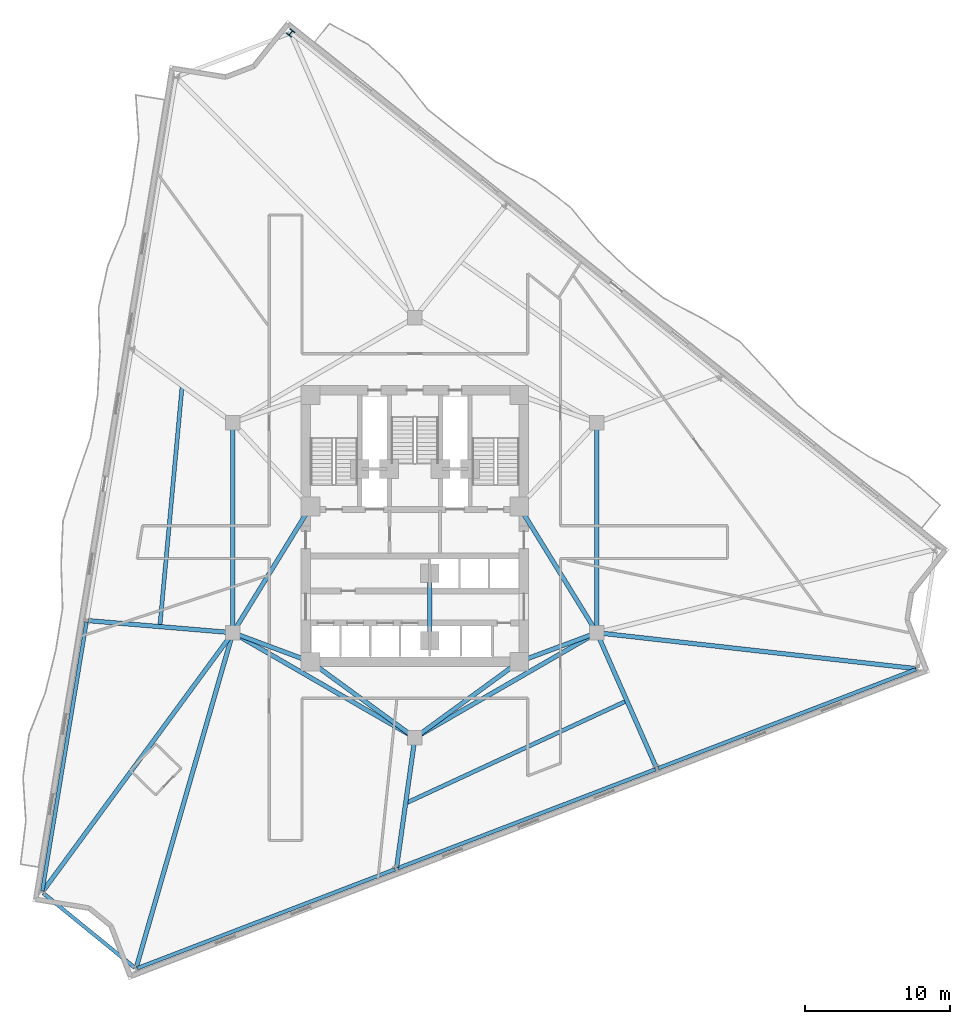
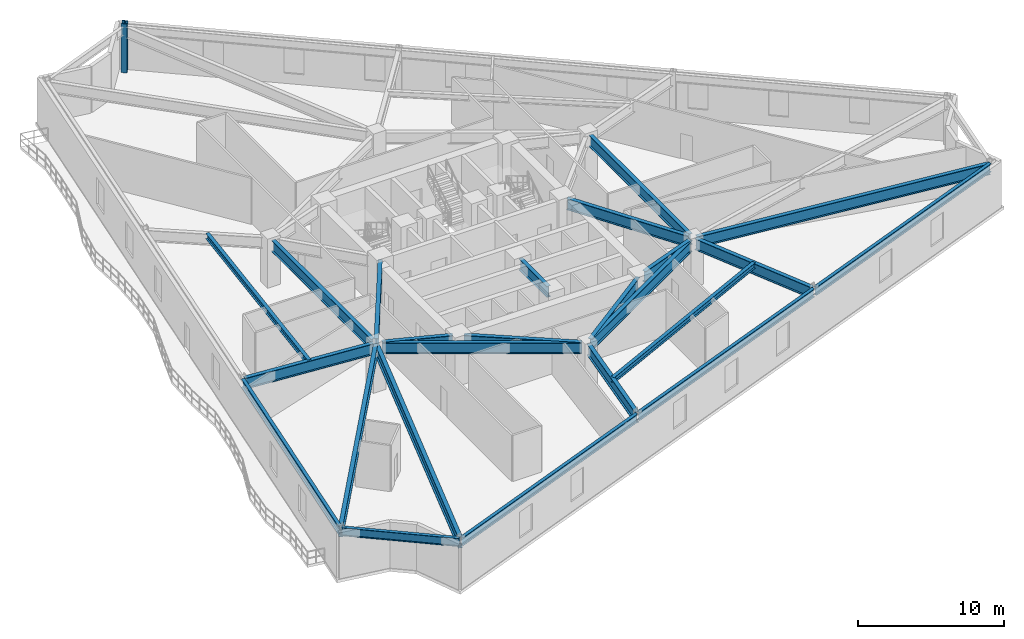
# One storey, part 2 of 10: 24 beams, 1 column.
"""IFC4 building model written with IfcOpenShell, lengths in metres."""

import ifcopenshell
import ifcopenshell.guid

model = None  # the IFC model being written
_history = None  # IfcOwnerHistory: only IFC2X3 demands one
_inside = {}  # id of a spatial element -> (the spatial element, [elements in it])
_under = {}  # id of a project, library or spatial element -> (it, [spatial elements below it])
_declared = {}  # id of a project -> (the project, [libraries it declares])
_typed = {}  # id of a type object -> (the type object, [elements of that type])
_made_of = {}  # id of a material, layer set ... -> (it, [elements and type objects made of it])


def new_model(schema):
    """Start an empty IFC model of exactly this schema.

    Asked for "IFC4X3", IfcOpenShell would pick the latest addendum, in which some entities
    have other attributes; the version numbers below select the first issue.
    IFC2X3 requires an IfcOwnerHistory on every rooted entity: one is made here for all.
    """
    global model, _history
    if schema == "IFC4X3":
        model = ifcopenshell.file(schema_version=(4, 3, 0, 0))
    else:
        model = ifcopenshell.file(schema=schema)
    _inside.clear()
    _under.clear()
    _declared.clear()
    _typed.clear()
    _made_of.clear()
    _history = None
    if model.schema == "IFC2X3":
        org = make("IfcOrganization", Name="unknown")
        user = make(
            "IfcPersonAndOrganization",
            ThePerson=make("IfcPerson", FamilyName="unknown"),
            TheOrganization=org,
        )
        app = make(
            "IfcApplication",
            ApplicationDeveloper=org,
            Version="unknown",
            ApplicationFullName="unknown",
            ApplicationIdentifier="unknown",
        )
        _history = make(
            "IfcOwnerHistory",
            OwningUser=user,
            OwningApplication=app,
            ChangeAction="ADDED",
            CreationDate=0,
        )
    return model


def make(cls, **values):
    """One entity of the class cls with the attributes given. An attribute that is None is left unset."""
    return model.create_entity(
        cls, **{name: value for name, value in values.items() if value is not None}
    )


def rooted(cls, **values):
    """An entity with a GlobalId (a new one), such as an element, a storey or a relation."""
    return make(cls, GlobalId=ifcopenshell.guid.new(), OwnerHistory=_history, **values)


def si_unit(unit_type, name, prefix=None):
    """IfcSIUnit, for example si_unit("LENGTHUNIT", "METRE", prefix="MILLI")."""
    return make("IfcSIUnit", UnitType=unit_type, Prefix=prefix, Name=name)


def assignment(units):
    """IfcUnitAssignment: the units of a project."""
    return None if units is None else make("IfcUnitAssignment", Units=units)


def point(xyz):
    """IfcCartesianPoint."""
    return None if xyz is None else make("IfcCartesianPoint", Coordinates=xyz)


def direction(xyz):
    """IfcDirection."""
    return None if xyz is None else make("IfcDirection", DirectionRatios=xyz)


def frame(location, z_axis=None, x_axis=None):
    """IfcAxis2Placement3D, a coordinate frame: its origin and axes. An axis left out is left unset."""
    return make(
        "IfcAxis2Placement3D",
        Location=point(location),
        Axis=direction(z_axis),
        RefDirection=direction(x_axis),
    )


def frame_2d(location, x_axis=None):
    """IfcAxis2Placement2D, a coordinate frame in the plane: its origin and x axis."""
    return make(
        "IfcAxis2Placement2D", Location=point(location), RefDirection=direction(x_axis)
    )


def origin():
    """The frame at (0, 0, 0) with its axes left unset."""
    return frame((0.0, 0.0, 0.0))


def origin_2d():
    """The frame at (0, 0) in the plane with its x axis left unset."""
    return frame_2d((0.0, 0.0))


def place(relative_to, where):
    """IfcLocalPlacement: puts the frame where relative to a parent placement (None: the world)."""
    return make(
        "IfcLocalPlacement", PlacementRelTo=relative_to, RelativePlacement=where
    )


def context(
    kind, dimensions, precision=None, world=None, true_north=None, identifier=None
):
    """IfcGeometricRepresentationContext, for example the 3D "Model" context."""
    return make(
        "IfcGeometricRepresentationContext",
        ContextIdentifier=identifier,
        ContextType=kind,
        CoordinateSpaceDimension=dimensions,
        Precision=precision,
        WorldCoordinateSystem=world,
        TrueNorth=true_north,
    )


def subcontext(parent, identifier, kind, view, scale=None):
    """IfcGeometricRepresentationSubContext, for example "Body" below "Model"."""
    return make(
        "IfcGeometricRepresentationSubContext",
        ContextIdentifier=identifier,
        ContextType=kind,
        ParentContext=parent,
        TargetScale=scale,
        TargetView=view,
    )


def project(units=None, contexts=None):
    """IfcProject with its units and contexts."""
    return rooted(
        "IfcProject",
        Name="project",
        RepresentationContexts=contexts,
        UnitsInContext=assignment(units),
    )


def spatial(cls, under=None, at=None, **own):
    """A site, building, storey or space (cls), placed at a placement, below another one or the project."""
    s = rooted(cls, ObjectPlacement=at, **own)
    if under is not None:
        _under.setdefault(under.id(), (under, []))[1].append(s)
    return s


def profile(cls, at=None, kind="AREA", **sizes):
    """A parametric profile (cls). Its sizes go by their IFC names, for example OverallWidth=200.0."""
    return make(cls, ProfileType=kind, Position=at, **sizes)


def i_section(**sizes):
    """IfcIShapeProfileDef."""
    return profile("IfcIShapeProfileDef", **sizes)


def extrude(swept, where, along, depth):
    """IfcExtrudedAreaSolid: the profile swept, set in the frame where, extruded along a direction by depth."""
    return make(
        "IfcExtrudedAreaSolid",
        SweptArea=swept,
        Position=where,
        ExtrudedDirection=direction(along),
        Depth=depth,
    )


def shape(context_of_items, identifier, shape_type, items):
    """IfcShapeRepresentation: the items that make up one representation, for example the "Body"."""
    return make(
        "IfcShapeRepresentation",
        ContextOfItems=context_of_items,
        RepresentationIdentifier=identifier,
        RepresentationType=shape_type,
        Items=items,
    )


def material(Name=None, Category=None):
    """IfcMaterial."""
    return make("IfcMaterial", Name=Name, Category=Category)


def material_profile(
    of_material, cross_section, Name=None, Category=None, Priority=None
):
    """IfcMaterialProfile: a cross section and its material."""
    return make(
        "IfcMaterialProfile",
        Name=Name,
        Material=of_material,
        Profile=cross_section,
        Priority=Priority,
        Category=Category,
    )


def profile_set(profiles, Name=None, composite=None):
    """IfcMaterialProfileSet."""
    return make(
        "IfcMaterialProfileSet",
        Name=Name,
        MaterialProfiles=profiles,
        CompositeProfile=composite,
    )


def made_of(thing, what):
    """Note that an element or type object is made of a material, layer set ...; save() writes the relation."""
    if what is not None:
        _made_of.setdefault(what.id(), (what, []))[1].append(thing)
    return thing


def type_object(cls, material=None, **own):
    """A type object (cls), such as IfcWallType, which elements share."""
    return made_of(rooted(cls, **own), material)


def element(
    cls,
    number,
    at=None,
    inside=None,
    cuts=None,
    type_object=None,
    material=None,
    context=None,
    identifier="Body",
    shape_type=None,
    held_by="IfcProductDefinitionShape",
    body=None,
    shapes=None,
    **own,
):
    """One element of the class cls, such as IfcWall. Its Tag is "e" and its number.

    at: its placement. inside: the storey or other place that contains it. cuts: it is an
    opening in that element (IfcRelVoidsElement). A single representation is given by context,
    identifier, shape_type and body (its items); several are given by shapes. held_by: the class
    of the entity that holds the representations. save() writes the other relations.
    """
    e = rooted(cls, Tag="e%d" % number, ObjectPlacement=at, **own)
    if body is not None:
        shapes = [shape(context, identifier, shape_type, body)]
    if shapes is not None:
        e.Representation = make(held_by, Representations=shapes)
    if inside is not None:
        _inside.setdefault(inside.id(), (inside, []))[1].append(e)
    if cuts is not None:
        rooted(
            "IfcRelVoidsElement", RelatingBuildingElement=cuts, RelatedOpeningElement=e
        )
    if type_object is not None:
        _typed.setdefault(type_object.id(), (type_object, []))[1].append(e)
    return made_of(e, material)


def aggregate(whole, parts):
    """IfcRelAggregates: a whole, such as a stair, and the parts it consists of."""
    return rooted("IfcRelAggregates", RelatingObject=whole, RelatedObjects=parts)


def save(model, path):
    """Write the relations noted so far, then the file.

    IfcRelAggregates (storeys below a building ...), IfcRelContainedInSpatialStructure (elements
    in a storey), IfcRelDefinesByType, IfcRelAssociatesMaterial and IfcRelDeclares: one each for
    every whole, place, type object, material and project.
    """
    for whole, parts in _under.values():
        aggregate(whole, parts)
    for where, things in _inside.values():
        rooted(
            "IfcRelContainedInSpatialStructure",
            RelatedElements=things,
            RelatingStructure=where,
        )
    for kind, things in _typed.values():
        rooted("IfcRelDefinesByType", RelatedObjects=things, RelatingType=kind)
    for what, things in _made_of.values():
        rooted("IfcRelAssociatesMaterial", RelatedObjects=things, RelatingMaterial=what)
    for by, libraries in _declared.values():
        rooted("IfcRelDeclares", RelatingContext=by, RelatedDefinitions=libraries)
    model.write(path)


model = new_model("IFC4")

# Units and contexts
model_context = context("Model", 3, precision=1e-05, world=origin(), true_north=direction((0.0, 1.0)))
body_context = subcontext(model_context, "Body", "Model", "MODEL_VIEW")
ifc_project = project(units=[si_unit("LENGTHUNIT", "METRE"), si_unit("AREAUNIT", "SQUARE_METRE"), si_unit("VOLUMEUNIT", "CUBIC_METRE"), si_unit("PLANEANGLEUNIT", "RADIAN"), si_unit("MASSUNIT", "GRAM", prefix="KILO")], contexts=[model_context])

# Site, building, storey
site_placement = place(None, origin())
site = spatial("IfcSite", under=ifc_project, at=site_placement, CompositionType="ELEMENT")
building_placement = place(site_placement, origin())
building = spatial("IfcBuilding", under=site, at=building_placement, Name="Apsidion Concourse Tower", CompositionType="ELEMENT")
storey_placement = place(building_placement, frame((0.0, 0.0, 152.699951171875)))
storey = spatial("IfcBuildingStorey", under=building, at=storey_placement, Name="L35", CompositionType="ELEMENT", Elevation=152.699951171875)

# Column
ifc_material = material(Name="Structural steel ASTM A992 Grade 50", Category="steel")
ifc_material_profile_1 = material_profile(ifc_material, i_section(OverallWidth=0.410888671875, OverallDepth=0.43408203125, WebThickness=0.035888671875, FlangeThickness=0.057373046875, at=origin_2d()), Name="W14X311")
ifc_profile_set_1 = profile_set([ifc_material_profile_1], Name="Structural steel ASTM A992 Grade 50")
column_type = type_object("IfcColumnType", Name="COL-W14-311", PredefinedType="COLUMN", material=ifc_profile_set_1)
column_placement = place(storey_placement, frame((-8.565185546875, 34.1376953125, 0.0), z_axis=(0.0, 0.0, 1.0), x_axis=(-0.780757676633, 0.624833938242, 0.0)))
element("IfcColumn", 1, at=column_placement, inside=storey, type_object=column_type, Name="L35 Rotated Perimeter Column PC12", PredefinedType="COLUMN", context=body_context, shape_type="SweptSolid", body=[
    extrude(i_section(OverallWidth=0.410888671875, OverallDepth=0.43408203125, WebThickness=0.035888671875, FlangeThickness=0.057373046875, at=origin_2d()), origin(), (0.0, 0.0, 1.0), 4.10009765625),
])

# Beams
ifc_material_profile_2 = material_profile(ifc_material, i_section(OverallWidth=0.280029296875, OverallDepth=0.462890625, WebThickness=0.0107421875, FlangeThickness=0.017333984375, at=origin_2d()), Name="W18X76")
ifc_profile_set_2 = profile_set([ifc_material_profile_2], Name="Structural steel ASTM A992 Grade 50")
beam_type_1 = type_object("IfcBeamType", Name="BM-FL-W18M", PredefinedType="BEAM", material=ifc_profile_set_2)
beam_1_placement = place(storey_placement, frame((-16.05908203125, 9.798095703125, 3.61865234375), z_axis=(-0.092270423312, -0.995733985049, 0.0), x_axis=(0.995733985049, -0.092270423312, 0.0)))
element("IfcBeam", 2, at=beam_1_placement, inside=storey, type_object=beam_type_1, Name="L35 Secondary Floor Beam SEC-F1", PredefinedType="BEAM", context=body_context, shape_type="SweptSolid", body=[
    extrude(i_section(OverallWidth=0.280029296875, OverallDepth=0.462890625, WebThickness=0.0107421875, FlangeThickness=0.017333984375, at=origin_2d()), origin(), (0.0, 0.0, 1.0), 16.698486328125),
])
beam_2_placement = place(storey_placement, frame((-0.6376953125, -19.018310546875, 3.61865234375), z_axis=(0.907312361657, 0.420457225392, 0.0), x_axis=(-0.420457225392, 0.907312361657, 0.0)))
element("IfcBeam", 3, at=beam_2_placement, inside=storey, type_object=beam_type_1, Name="L35 Secondary Floor Beam SEC-F2", PredefinedType="BEAM", context=body_context, shape_type="SweptSolid", body=[
    extrude(i_section(OverallWidth=0.280029296875, OverallDepth=0.462890625, WebThickness=0.0107421875, FlangeThickness=0.017333984375, at=origin_2d()), origin(), (0.0, 0.0, 1.0), 16.82568359375),
])
ifc_material_profile_3 = material_profile(ifc_material, i_section(OverallWidth=0.31005859375, OverallDepth=0.931884765625, WebThickness=0.02099609375, FlangeThickness=0.034423828125, at=origin_2d()), Name="W36X210")
ifc_profile_set_3 = profile_set([ifc_material_profile_3], Name="Structural steel ASTM A992 Grade 50")
beam_type_2 = type_object("IfcBeamType", Name="BM-G-W36", PredefinedType="USERDEFINED", material=ifc_profile_set_3)
beam_3_placement = place(storey_placement, frame((-12.185302734375, -7.389892578125, 3.384033203125), z_axis=(0.936913021145, -0.349562570664, 0.0), x_axis=(0.349562570664, 0.936913021145, 0.0)))
element("IfcBeam", 4, at=beam_3_placement, inside=storey, type_object=beam_type_2, Name="L35 Core Coupling Girder IC1-SC1", ObjectType="GIRDER", PredefinedType="USERDEFINED", context=body_context, shape_type="SweptSolid", body=[
    extrude(i_section(OverallWidth=0.31005859375, OverallDepth=0.931884765625, WebThickness=0.02099609375, FlangeThickness=0.034423828125, at=origin_2d()), origin(), (0.0, 0.0, 1.0), 4.921142578125),
])
beam_4_placement = place(storey_placement, frame((-12.35009765625, -6.909423828125, 3.384033203125), z_axis=(0.524524009763, 0.851395656074, 0.0), x_axis=(-0.851395656074, 0.524524009763, 0.0)))
element("IfcBeam", 5, at=beam_4_placement, inside=storey, type_object=beam_type_2, Name="L35 Core Coupling Girder IC1-SC6", ObjectType="GIRDER", PredefinedType="USERDEFINED", context=body_context, shape_type="SweptSolid", body=[
    extrude(i_section(OverallWidth=0.31005859375, OverallDepth=0.931884765625, WebThickness=0.02099609375, FlangeThickness=0.034423828125, at=origin_2d()), origin(), (0.0, 0.0, 1.0), 9.41845703125),
])
beam_5_placement = place(storey_placement, frame((12.185302734375, -7.389892578125, 3.384033203125), z_axis=(-0.936913021145, -0.349562570664, 0.0), x_axis=(0.349562570664, -0.936913021145, 0.0)))
element("IfcBeam", 6, at=beam_5_placement, inside=storey, type_object=beam_type_2, Name="L35 Core Coupling Girder IC2-SC2", ObjectType="GIRDER", PredefinedType="USERDEFINED", context=body_context, shape_type="SweptSolid", body=[
    extrude(i_section(OverallWidth=0.31005859375, OverallDepth=0.931884765625, WebThickness=0.02099609375, FlangeThickness=0.034423828125, at=origin_2d()), origin(), (0.0, 0.0, 1.0), 4.921142578125),
])
beam_6_placement = place(storey_placement, frame((12.35009765625, -6.909423828125, 3.384033203125), z_axis=(-0.524524009763, 0.851395656074, 0.0), x_axis=(-0.851395656074, -0.524524009763, 0.0)))
element("IfcBeam", 7, at=beam_6_placement, inside=storey, type_object=beam_type_2, Name="L35 Core Coupling Girder IC2-SC3", ObjectType="GIRDER", PredefinedType="USERDEFINED", context=body_context, shape_type="SweptSolid", body=[
    extrude(i_section(OverallWidth=0.31005859375, OverallDepth=0.931884765625, WebThickness=0.02099609375, FlangeThickness=0.034423828125, at=origin_2d()), origin(), (0.0, 0.0, 1.0), 9.41845703125),
])
for number, where, z_axis, x_axis, name in (
    (8, (-0.3232421875, -14.264404296875, 3.384033203125), (-0.807993498909, 0.589191399905, 0.0), (-0.589191399905, -0.807993498909, 0.0), "L35 Core Coupling Girder IC6-SC1"),
    (9, (0.3232421875, -14.264404296875, 3.384033203125), (0.807993498909, 0.589191399905, 0.0), (-0.589191399905, 0.807993498909, 0.0), "L35 Core Coupling Girder IC6-SC2"),
):
    element("IfcBeam", number, at=place(storey_placement, frame(where, z_axis=z_axis, x_axis=x_axis)), inside=storey, type_object=beam_type_2, Name=name, ObjectType="GIRDER", PredefinedType="USERDEFINED", context=body_context, shape_type="SweptSolid", body=[
        extrude(i_section(OverallWidth=0.31005859375, OverallDepth=0.931884765625, WebThickness=0.02099609375, FlangeThickness=0.034423828125, at=origin_2d()), origin(), (0.0, 0.0, 1.0), 8.11083984375),
    ])
for number, where, z_axis, x_axis, name in (
    (10, (-12.56005859375, -6.85009765625, 3.384033203125), (0.0, 1.0, 0.0), (-1.0, 0.0, 0.0), "L35 Core Coupling Girder IC1-IC5"),
    (11, (12.56005859375, 6.85009765625, 3.384033203125), (0.0, -1.0, 0.0), (1.0, 0.0, 0.0), "L35 Core Coupling Girder IC3-IC2"),
):
    element("IfcBeam", number, at=place(storey_placement, frame(where, z_axis=z_axis, x_axis=x_axis)), inside=storey, type_object=beam_type_2, Name=name, ObjectType="GIRDER", PredefinedType="USERDEFINED", context=body_context, shape_type="SweptSolid", body=[
        extrude(i_section(OverallWidth=0.31005859375, OverallDepth=0.931884765625, WebThickness=0.02099609375, FlangeThickness=0.034423828125, at=origin_2d()), origin(), (0.0, 0.0, 1.0), 13.7001953125),
    ])
for number, where, z_axis, x_axis, name in (
    (12, (12.213623046875, -7.449951171875, 3.384033203125), (-0.866070471464, -0.499921932364, 0.0), (0.499921932364, -0.866070471464, 0.0), "L35 Core Coupling Girder IC2-IC6"),
    (13, (-0.346435546875, -14.300048828125, 3.384033203125), (-0.866070471464, 0.499921932364, 0.0), (-0.499921932364, -0.866070471464, 0.0), "L35 Core Coupling Girder IC6-IC1"),
):
    element("IfcBeam", number, at=place(storey_placement, frame(where, z_axis=z_axis, x_axis=x_axis)), inside=storey, type_object=beam_type_2, Name=name, ObjectType="GIRDER", PredefinedType="USERDEFINED", context=body_context, shape_type="SweptSolid", body=[
        extrude(i_section(OverallWidth=0.31005859375, OverallDepth=0.931884765625, WebThickness=0.02099609375, FlangeThickness=0.034423828125, at=origin_2d()), origin(), (0.0, 0.0, 1.0), 13.702392578125),
    ])
beam_7_placement = place(storey_placement, frame((1.02490234375, -3.550048828125, 3.384033203125), z_axis=(0.0, -1.0, 0.0), x_axis=(1.0, 0.0, 0.0)))
element("IfcBeam", 14, at=beam_7_placement, inside=storey, type_object=beam_type_2, Name="L35 Core Coupling Girder CC5-CC6", ObjectType="GIRDER", PredefinedType="USERDEFINED", context=body_context, shape_type="SweptSolid", body=[
    extrude(i_section(OverallWidth=0.31005859375, OverallDepth=0.931884765625, WebThickness=0.02099609375, FlangeThickness=0.034423828125, at=origin_2d()), origin(), (0.0, 0.0, 1.0), 3.849853515625),
])
beam_8_placement = place(storey_placement, frame((-12.779296875, -7.231689453125, 3.384033203125), z_axis=(-0.996528374011, 0.083253827489, 0.0), x_axis=(-0.083253827489, -0.996528374011, 0.0)))
element("IfcBeam", 15, at=beam_8_placement, inside=storey, type_object=beam_type_2, Name="L35 Radial Floor Girder RAD-03", ObjectType="GIRDER", PredefinedType="USERDEFINED", context=body_context, shape_type="SweptSolid", body=[
    extrude(i_section(OverallWidth=0.31005859375, OverallDepth=0.931884765625, WebThickness=0.02099609375, FlangeThickness=0.034423828125, at=origin_2d()), origin(), (0.0, 0.0, 1.0), 9.79443359375),
])
beam_9_placement = place(storey_placement, frame((-12.690185546875, -7.42724609375, 3.384033203125), z_axis=(-0.592104054542, -0.80586151949, 0.0), x_axis=(0.80586151949, -0.592104054542, 0.0)))
element("IfcBeam", 16, at=beam_9_placement, inside=storey, type_object=beam_type_2, Name="L35 Radial Floor Girder RAD-04", ObjectType="GIRDER", PredefinedType="USERDEFINED", context=body_context, shape_type="SweptSolid", body=[
    extrude(i_section(OverallWidth=0.31005859375, OverallDepth=0.931884765625, WebThickness=0.02099609375, FlangeThickness=0.034423828125, at=origin_2d()), origin(), (0.0, 0.0, 1.0), 21.907470703125),
])
beam_10_placement = place(storey_placement, frame((-12.62109375, -7.46142578125, 3.384033203125), z_axis=(-0.277124061606, -0.960834145146, 0.0), x_axis=(0.960834145146, -0.277124061606, 0.0)))
element("IfcBeam", 17, at=beam_10_placement, inside=storey, type_object=beam_type_2, Name="L35 Radial Floor Girder RAD-05", ObjectType="GIRDER", PredefinedType="USERDEFINED", context=body_context, shape_type="SweptSolid", body=[
    extrude(i_section(OverallWidth=0.31005859375, OverallDepth=0.931884765625, WebThickness=0.02099609375, FlangeThickness=0.034423828125, at=origin_2d()), origin(), (0.0, 0.0, 1.0), 23.810302734375),
])
beam_11_placement = place(storey_placement, frame((-0.03076171875, -14.7177734375, 3.384033203125), z_axis=(-0.139728877642, -0.990189800368, 0.0), x_axis=(0.990189800368, -0.139728877642, 0.0)))
element("IfcBeam", 18, at=beam_11_placement, inside=storey, type_object=beam_type_2, Name="L35 Radial Floor Girder RAD-06", ObjectType="GIRDER", PredefinedType="USERDEFINED", context=body_context, shape_type="SweptSolid", body=[
    extrude(i_section(OverallWidth=0.31005859375, OverallDepth=0.931884765625, WebThickness=0.02099609375, FlangeThickness=0.034423828125, at=origin_2d()), origin(), (0.0, 0.0, 1.0), 8.80615234375),
])
beam_12_placement = place(storey_placement, frame((12.648681640625, -7.451416015625, 3.384033203125), z_axis=(0.403246465544, -0.915091409656, 0.0), x_axis=(0.915091409656, 0.403246465544, 0.0)))
element("IfcBeam", 19, at=beam_12_placement, inside=storey, type_object=beam_type_2, Name="L35 Radial Floor Girder RAD-07", ObjectType="GIRDER", PredefinedType="USERDEFINED", context=body_context, shape_type="SweptSolid", body=[
    extrude(i_section(OverallWidth=0.31005859375, OverallDepth=0.931884765625, WebThickness=0.02099609375, FlangeThickness=0.034423828125, at=origin_2d()), origin(), (0.0, 0.0, 1.0), 9.93896484375),
])
beam_13_placement = place(storey_placement, frame((12.778564453125, -7.274658203125, 3.384033203125), z_axis=(0.993722887176, -0.111869671955, 0.0), x_axis=(0.111869671955, 0.993722887176, 0.0)))
element("IfcBeam", 20, at=beam_13_placement, inside=storey, type_object=beam_type_2, Name="L35 Radial Floor Girder RAD-08", ObjectType="GIRDER", PredefinedType="USERDEFINED", context=body_context, shape_type="SweptSolid", body=[
    extrude(i_section(OverallWidth=0.31005859375, OverallDepth=0.931884765625, WebThickness=0.02099609375, FlangeThickness=0.034423828125, at=origin_2d()), origin(), (0.0, 0.0, 1.0), 21.928466796875),
])
ifc_material_profile_4 = material_profile(ifc_material, i_section(OverallWidth=0.256103515625, OverallDepth=0.693115234375, WebThickness=0.014404296875, FlangeThickness=0.023681640625, at=origin_2d()), Name="W27X114")
ifc_profile_set_4 = profile_set([ifc_material_profile_4], Name="Structural steel ASTM A992 Grade 50")
beam_type_3 = type_object("IfcBeamType", Name="BM-SP-W27", PredefinedType="SPANDREL", material=ifc_profile_set_4)
beam_14_placement = place(storey_placement, frame((-22.65576171875, -6.506591796875, 3.503662109375), z_axis=(-0.162122790078, -0.986770591849, 0.0), x_axis=(0.986770591849, -0.162122790078, 0.0)))
element("IfcBeam", 21, at=beam_14_placement, inside=storey, type_object=beam_type_3, Name="L35 Perimeter Spandrel Girder SP-03", PredefinedType="SPANDREL", context=body_context, shape_type="SweptSolid", body=[
    extrude(i_section(OverallWidth=0.256103515625, OverallDepth=0.693115234375, WebThickness=0.014404296875, FlangeThickness=0.023681640625, at=origin_2d()), origin(), (0.0, 0.0, 1.0), 18.8056640625),
])
beam_15_placement = place(storey_placement, frame((-25.643310546875, -25.225341796875, 3.503662109375), z_axis=(0.775340926365, -0.631542910579, 0.0), x_axis=(0.631542910579, 0.775340926365, 0.0)))
element("IfcBeam", 22, at=beam_15_placement, inside=storey, type_object=beam_type_3, Name="L35 Perimeter Spandrel Girder SP-04", PredefinedType="SPANDREL", context=body_context, shape_type="SweptSolid", body=[
    extrude(i_section(OverallWidth=0.256103515625, OverallDepth=0.693115234375, WebThickness=0.014404296875, FlangeThickness=0.023681640625, at=origin_2d()), origin(), (0.0, 0.0, 1.0), 8.1494140625),
])
for number, where, z_axis, x_axis, name in (
    (23, (-19.15380859375, -30.3994140625, 3.503662109375), (0.933579256938, 0.358370996335, 0.0), (-0.358370996335, 0.933579256938, 0.0), "L35 Perimeter Spandrel Girder SP-05"),
    (24, (-1.181884765625, -23.500732421875, 3.503662109375), (0.933579256938, 0.358370996335, 0.0), (-0.358370996335, 0.933579256938, 0.0), "L35 Perimeter Spandrel Girder SP-06"),
    (25, (16.7900390625, -16.60205078125, 3.503662109375), (0.933579256938, 0.358370996335, 0.0), (-0.358370996335, 0.933579256938, 0.0), "L35 Perimeter Spandrel Girder SP-07"),
):
    element("IfcBeam", number, at=place(storey_placement, frame(where, z_axis=z_axis, x_axis=x_axis)), inside=storey, type_object=beam_type_3, Name=name, PredefinedType="SPANDREL", context=body_context, shape_type="SweptSolid", body=[
        extrude(i_section(OverallWidth=0.256103515625, OverallDepth=0.693115234375, WebThickness=0.014404296875, FlangeThickness=0.023681640625, at=origin_2d()), origin(), (0.0, 0.0, 1.0), 19.050537109375),
    ])

save(model, "model.ifc")
